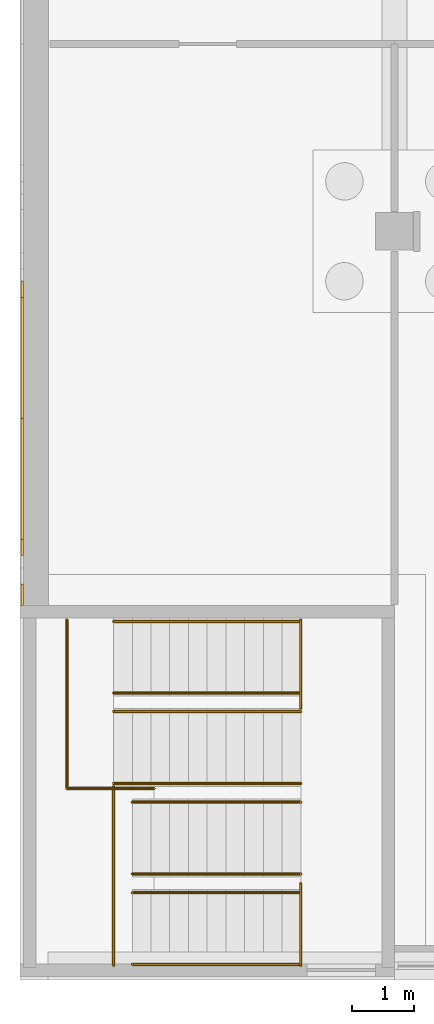
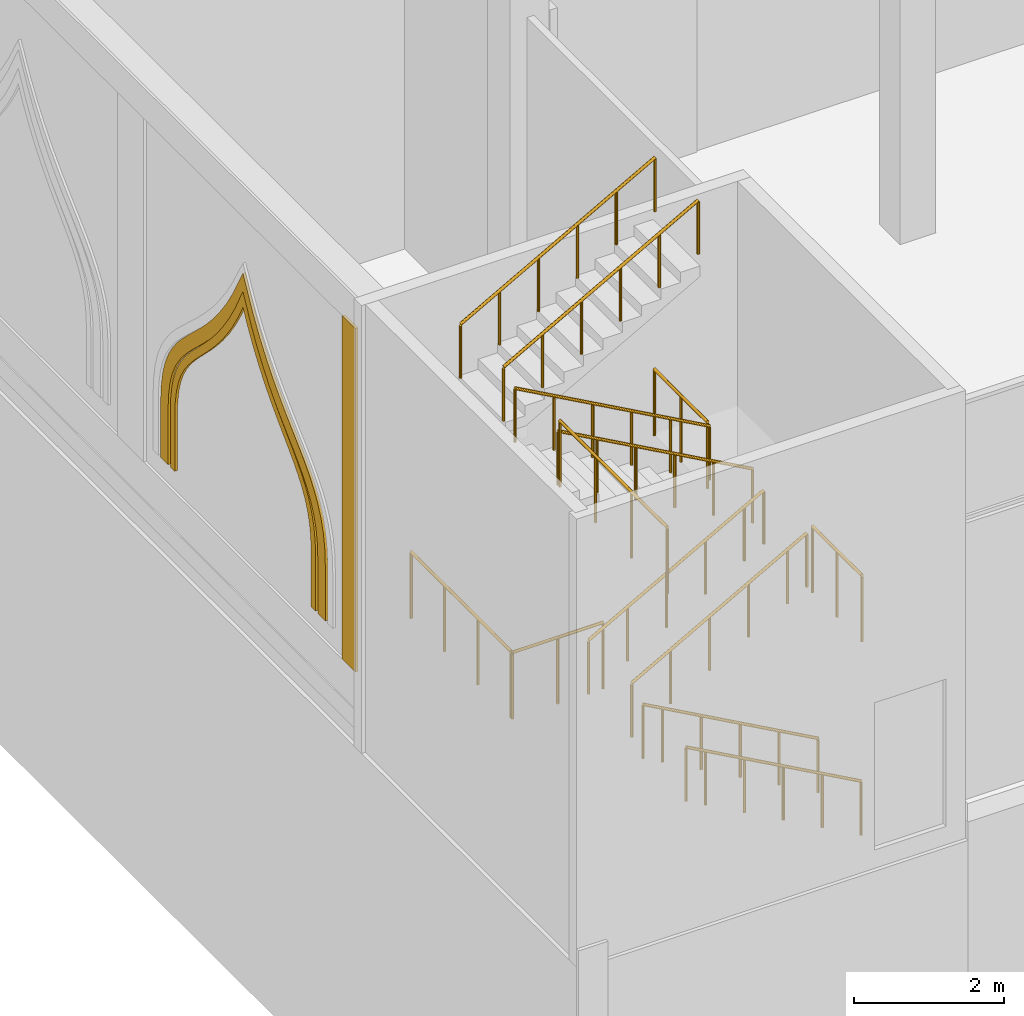
# One storey, part 60 of 95: 13 railings, 3 coverings.
"""IFC4 building model written with IfcOpenShell, lengths in metres."""

from ifc_helpers import new_model, si_unit, direction, frame, origin, origin_2d, place, context, subcontext, project, spatial, polyline, rectangle, circle, outline, extrude, material, layer, layer_set, type_object, element, save


model = new_model("IFC4")

# Units and contexts
model_context = context("Model", 3, precision=1e-05, world=origin(), true_north=direction((0.0, 1.0)))
body_context = subcontext(model_context, "Body", "Model", "MODEL_VIEW")
ifc_project = project(units=[si_unit("LENGTHUNIT", "METRE"), si_unit("AREAUNIT", "SQUARE_METRE"), si_unit("VOLUMEUNIT", "CUBIC_METRE"), si_unit("PLANEANGLEUNIT", "RADIAN"), si_unit("MASSUNIT", "GRAM", prefix="KILO")], contexts=[model_context])

# Site, building, storey
site_placement = place(None, origin())
site = spatial("IfcSite", under=ifc_project, at=site_placement, CompositionType="ELEMENT")
building_placement = place(site_placement, origin())
building = spatial("IfcBuilding", under=site, at=building_placement, Name="Saffron Lane Theatres", CompositionType="ELEMENT")
storey_placement = place(building_placement, origin())
storey = spatial("IfcBuildingStorey", under=building, at=storey_placement, Name="L00", CompositionType="ELEMENT", Elevation=0.0)

# Coverings
ifc_material_1 = material(Name="Face brick cladding, pale buff", Category="masonry")
ifc_layer_1 = layer(ifc_material_1, 0.0400390625)
ifc_layer_set_1 = layer_set([ifc_layer_1], Name="Face brick cladding, pale buff")
covering_type_1 = type_object("IfcCoveringType", Name="EX-FACE BRICK SKIN PALE BUFF 40", PredefinedType="CLADDING", material=ifc_layer_set_1)
covering_1_placement = place(storey_placement, frame((0.0400390625, 6.175048828125, 0.89990234375), z_axis=(0.0, 0.0, 1.0), x_axis=(0.0, 1.0, 0.0)))
element("IfcCovering", 1, at=covering_1_placement, inside=storey, type_object=covering_type_1, Name="Face brick cladding, pale buff L00", PredefinedType="CLADDING", context=body_context, shape_type="SweptSolid", body=[
    extrude(rectangle(XDim=0.35009765625, YDim=0.0400390625, at=origin_2d()), origin(), (0.0, 0.0, 1.0), 5.60009765625),
])
ifc_material_2 = material(Name="Face brick cladding, pale buff", Category="masonry")
ifc_layer_2 = layer(ifc_material_2, 0.0400390625)
ifc_layer_set_2 = layer_set([ifc_layer_2], Name="Face brick cladding, pale buff")
covering_type_2 = type_object("IfcCoveringType", Name="EX-NICHE FRAME RING FACE BRICK PALE BUFF", PredefinedType="CLADDING", material=ifc_layer_set_2)
covering_2_placement = place(storey_placement, frame((0.06005859375, 7.072021484375, 2.39404296875), z_axis=(1.0, 0.0, 0.0), x_axis=(0.0, -0.049137358924, -0.998792030384)))
element("IfcCovering", 2, at=covering_2_placement, inside=storey, type_object=covering_type_2, Name="Court wall niche ring", PredefinedType="CLADDING", context=body_context, shape_type="SweptSolid", body=[
    extrude(outline(polyline([(0.0, 0.0), (0.2434581525511307, -1.734723475976807e-18), (1.1432488244543841, 0.04426681016391508), (1.137358579524714, 0.16399505404047265), (0.24049405614797534, 0.11987220098278169), (0.007033577729103016, 0.1203640544290474), (-0.1962583387604046, 0.14360602715893483), (-0.37560171753947574, 0.18684775500352957), (-0.5368488556611398, 0.24980132375038339), (-0.6850005487916107, 0.3297763513581751), (-0.8268604839750515, 0.4259492464912962), (-0.9645273012021993, 0.5362612756357352), (-1.1047806946661802, 0.659401156034798), (-1.2514382207570491, 0.7934700249063853), (-1.4085252922988492, 0.9358254859112508), (-1.580103311392178, 1.0845566798417767), (-1.7729039865280876, 1.2373769410990973), (-1.989745498403424, 1.3919477011821022), (-2.2357006212375135, 1.5470416523127277), (-2.5144789435907433, 1.698565320313989), (-2.7265625262103663, 1.7961721555341075), (-2.525083783749253, 1.914124928433901), (-2.2625246286972733, 2.0922806610866234), (-2.032932630270658, 2.2697922591364956), (-1.8323582713986466, 2.445876282549646), (-1.6554888493515392, 2.61688312489328), (-1.4993382334752277, 2.7817375147209065), (-1.3569827724703623, 2.9388245862627063), (-1.2241931142790827, 3.0866413587786963), (-1.0967039175669735, 3.2229533143972655), (-0.9705296759867175, 3.346245475952912), (-0.8387947239410392, 3.4558783605179877), (-0.6992084786309031, 3.5500091702378174), (-0.5449192673100712, 3.628486113605838), (-0.37068636580195613, 3.6891226584525136), (-0.17065747705352846, 3.7322067189902914), (0.06162735166451358, 3.7556117451772284), (0.9584918750412523, 3.7997345982349193), (0.9526016301115823, 3.919462842111477), (0.052810958208328956, 3.8751960319475622), (-0.18947154464197147, 3.851299152314359), (-0.4035595096232559, 3.8058123791226977), (-0.5923670888365202, 3.738347909555811), (-0.7604994407308727, 3.653079030744135), (-0.9114543802325443, 3.551544712704208), (-1.050936330088171, 3.4354198033334438), (-1.1829667859216257, 3.3069508169289725), (-1.3132261776285068, 3.167324909967122), (-1.4459678501177116, 3.0185327546089598), (-1.5864685168423833, 2.863492420155653), (-1.7407643384385012, 2.700684767416518), (-1.913692322640197, 2.5340272413859313), (-2.108654312969553, 2.3631080463960874), (-2.332354107866413, 2.1900417360634106), (-2.5892529086736626, 2.016075448991823), (-2.984307442254198, 1.7834919337608668), (-2.5683311425690913, 1.5908085298050276), (-2.2955970600771893, 1.4428984789600046), (-2.0559900049425646, 1.292625377112813), (-1.845192732928556, 1.1416682341860458), (-1.656741374105693, 0.9927894107741371), (-1.4872100921008569, 0.8459130111238046), (-1.3321697576475495, 0.7054123443991328), (-1.1854642458546054, 0.5703680926853739), (-1.0421287503323673, 0.4442021751554778), (-0.8981258618312739, 0.32931314243814785), (-0.7479191075619507, 0.22743998658357098), (-0.5876789347088237, 0.14023772466330328), (-0.41203682043977996, 0.07285918867513211), (-0.2175189426796258, 0.024253100023604444), (0.0, 0.0)])), origin(), (0.0, 0.0, -1.0), 0.0400390625),
])
covering_3_placement = place(storey_placement, frame((0.06005859375, 6.81396484375, 2.416015625), z_axis=(1.0, 0.0, 0.0), x_axis=(0.0, -0.052850824381, -0.998602418564)))
element("IfcCovering", 3, at=covering_3_placement, inside=storey, type_object=covering_type_2, Name="Court wall niche ring", PredefinedType="CLADDING", context=body_context, shape_type="SweptSolid", body=[
    extrude(outline(polyline([(0.0, 0.0), (0.2633074467244505, 0.0), (1.1651214961065233, 0.0477283201622824), (1.1545539118370154, 0.2474000439914031), (0.2588348479198121, 0.19999429966152327), (0.011425975537206378, 0.1998577991513908), (-0.20210156873088145, 0.22474028020240072), (-0.3899079347837127, 0.27176504549653774), (-0.5587937002753489, 0.34008321126432145), (-0.7155078307266671, 0.42787069606189243), (-0.8642967823061162, 0.5322134516853781), (-1.0120772599674226, 0.6544567891326514), (-1.1623127094900663, 0.7907501716253488), (-1.3195708046608676, 0.9396294444378704), (-1.4900871060969219, 1.09880873335576), (-1.6761963837178078, 1.2662086126972976), (-1.8854937703858208, 1.437515394699492), (-2.1200444305353527, 1.6101749578767304), (-2.3866489418204653, 1.7833384184595322), (-2.689040355505825, 1.9536299354734277), (-2.8646160042079827, 2.0374853906507653), (-2.6988724668774546, 2.1394050924426464), (-2.4161452759353548, 2.3406638893671876), (-2.1693082116598714, 2.5410011380715813), (-1.9542927439206381, 2.737453894646832), (-1.76424668293041, 2.9298958451880424), (-1.596846803588872, 3.116005122808928), (-1.4440850759682549, 3.2922938338774492), (-1.303420281616241, 3.456940613377808), (-1.168410411382998, 3.608330544826945), (-1.03430714901556, 3.7445145910901334), (-0.8974147941351174, 3.86495489941103), (-0.7508424478545355, 3.968793757628952), (-0.590111399406036, 4.054556824413066), (-0.40831784686918837, 4.121142588184094), (-0.1986096004567468, 4.168424735037138), (0.04743155039647204, 4.194403973918316), (0.9431506143136754, 4.241809718248196), (0.9325830300441676, 4.441481442077317), (0.030768980662094908, 4.393753121915035), (-0.23106752026659994, 4.36595998819523), (-0.46470546058718654, 4.313499650348356), (-0.6719159513963089, 4.237500784234314), (-0.8559587063687718, 4.139502246350417), (-1.020915158668237, 4.022710780024254), (-1.1723424410032313, 3.890499509802235), (-1.3147450702081254, 3.7448303758523798), (-1.4536414698915574, 3.5883451044653136), (-1.596192144425849, 3.422376103605612), (-1.7461315032896978, 3.2481926242854025), (-1.9096577562143424, 3.0674224860210404), (-2.0932000093163197, 2.881436805876991), (-2.300531381174216, 2.6922362331211653), (-2.536527860159927, 2.499562707087641), (-2.809864359290527, 2.3056464152155973), (-3.2820006088422375, 2.015395397647838), (-2.781864777037985, 1.7766016768649355), (-2.489586625028707, 1.6126204222398495), (-2.234571074964541, 1.4459336052646754), (-2.008427080560928, 1.2796746257093192), (-1.806278653445971, 1.1141015442397035), (-1.6245849296404142, 0.9516021011226222), (-1.4570974454938663, 0.7942183711539379), (-1.297824439807826, 0.6442233255148111), (-1.1431863395031492, 0.5032733062162519), (-0.9862032826736595, 0.3734490971540108), (-0.8216665185098254, 0.25796015808373945), (-0.6453037847766058, 0.15923293837212055), (-0.45194503976435696, 0.08120829603058993), (-0.23787013524170816, 0.02750587145221218), (0.0, 0.0)])), origin(), (0.0, 0.0, -1.0), 0.0400390625),
])

# Railings
ifc_material_3 = material(Name="Steel Grade 350", Category="steel")
railing_type_1 = type_object("IfcRailingType", Name="VC-GUARD 1100", PredefinedType="GUARDRAIL", material=ifc_material_3)
railing_1_placement = place(storey_placement, frame((0.75, 3.10009765625, 1.666748046875)))
element("IfcRailing", 4, at=railing_1_placement, inside=storey, type_object=railing_type_1, Name="Workshop South West Stair landing guard 1N1s", PredefinedType="GUARDRAIL", context=body_context, shape_type="SweptSolid", body=[
    extrude(circle(Radius=0.02392578125, at=origin_2d()), frame((0.0, 0.0, 1.076171875), z_axis=(0.0, 1.0, 0.0), x_axis=(-1.0, 0.0, 0.0)), (0.0, 0.0, 1.0), 2.669921875),
    extrude(circle(Radius=0.02099609375, at=origin_2d()), origin(), (0.0, 0.0, 1.0), 1.052001953125),
    extrude(circle(Radius=0.02099609375, at=origin_2d()), frame((0.0, 0.889892578125, 0.0)), (0.0, 0.0, 1.0), 1.052001953125),
    extrude(circle(Radius=0.02099609375, at=origin_2d()), frame((0.0, 1.780029296875, 0.0)), (0.0, 0.0, 1.0), 1.052001953125),
    extrude(circle(Radius=0.02099609375, at=origin_2d()), frame((0.0, 2.669921875, 0.0)), (0.0, 0.0, 1.0), 1.052001953125),
])
railing_2_placement = place(storey_placement, frame((2.14990234375, 3.070068359375, 1.666748046875)))
element("IfcRailing", 5, at=railing_2_placement, inside=storey, type_object=railing_type_1, Name="Workshop South West Stair landing guard 1N1e", PredefinedType="GUARDRAIL", context=body_context, shape_type="SweptSolid", body=[
    extrude(circle(Radius=0.02392578125, at=origin_2d()), frame((0.0, 0.0, 1.076171875), z_axis=(-1.0, 0.0, 0.0), x_axis=(0.0, -1.0, 0.0)), (0.0, 0.0, 1.0), 1.39990234375),
    extrude(circle(Radius=0.02099609375, at=origin_2d()), origin(), (0.0, 0.0, 1.0), 1.052001953125),
    extrude(circle(Radius=0.02099609375, at=origin_2d()), frame((-0.699951171875, 0.0, 0.0)), (0.0, 0.0, 1.0), 1.052001953125),
    extrude(circle(Radius=0.02099609375, at=origin_2d()), frame((-1.39990234375, 0.0, 0.0)), (0.0, 0.0, 1.0), 1.052001953125),
])
railing_3_placement = place(storey_placement, frame((1.5, 0.22998046875, 5.166748046875)))
element("IfcRailing", 6, at=railing_3_placement, inside=storey, type_object=railing_type_1, Name="Workshop South West Stair landing guard 1N2s", PredefinedType="GUARDRAIL", context=body_context, shape_type="SweptSolid", body=[
    extrude(circle(Radius=0.02392578125, at=origin_2d()), frame((0.0, 0.0, 1.076171875), z_axis=(0.0, 1.0, 0.0), x_axis=(-1.0, 0.0, 0.0)), (0.0, 0.0, 1.0), 2.8701171875),
    extrude(circle(Radius=0.02099609375, at=origin_2d()), origin(), (0.0, 0.0, 1.0), 1.052001953125),
    extrude(circle(Radius=0.02099609375, at=origin_2d()), frame((0.0, 0.956787109375, 0.0)), (0.0, 0.0, 1.0), 1.052001953125),
    extrude(circle(Radius=0.02099609375, at=origin_2d()), frame((0.0, 1.913330078125, 0.0)), (0.0, 0.0, 1.0), 1.052001953125),
    extrude(circle(Radius=0.02099609375, at=origin_2d()), frame((0.0, 2.8701171875, 0.0)), (0.0, 0.0, 1.0), 1.052001953125),
])
railing_4_placement = place(storey_placement, frame((4.5, 0.22998046875, 3.333251953125)))
element("IfcRailing", 7, at=railing_4_placement, inside=storey, type_object=railing_type_1, Name="Workshop South West Stair landing guard 1S2w", PredefinedType="GUARDRAIL", context=body_context, shape_type="SweptSolid", body=[
    extrude(circle(Radius=0.02392578125, at=origin_2d()), frame((0.0, 0.0, 1.076171875), z_axis=(0.0, 1.0, 0.0), x_axis=(-1.0, 0.0, 0.0)), (0.0, 0.0, 1.0), 1.320068359375),
    extrude(circle(Radius=0.02099609375, at=origin_2d()), origin(), (0.0, 0.0, 1.0), 1.052001953125),
    extrude(circle(Radius=0.02099609375, at=origin_2d()), frame((0.0, 0.66015625, 0.0)), (0.0, 0.0, 1.0), 1.052001953125),
    extrude(circle(Radius=0.02099609375, at=origin_2d()), frame((0.0, 1.320068359375, 0.0)), (0.0, 0.0, 1.0), 1.052001953125),
])
railing_5_placement = place(storey_placement, frame((4.5, 4.35009765625, 3.333251953125)))
element("IfcRailing", 8, at=railing_5_placement, inside=storey, type_object=railing_type_1, Name="Workshop South West Stair landing guard 1S2e", PredefinedType="GUARDRAIL", context=body_context, shape_type="SweptSolid", body=[
    extrude(circle(Radius=0.02392578125, at=origin_2d()), frame((0.0, 0.0, 1.076171875), z_axis=(0.0, 1.0, 0.0), x_axis=(-1.0, 0.0, 0.0)), (0.0, 0.0, 1.0), 1.419921875),
    extrude(circle(Radius=0.02099609375, at=origin_2d()), origin(), (0.0, 0.0, 1.0), 1.052001953125),
    extrude(circle(Radius=0.02099609375, at=origin_2d()), frame((0.0, 0.7099609375, 0.0)), (0.0, 0.0, 1.0), 1.052001953125),
    extrude(circle(Radius=0.02099609375, at=origin_2d()), frame((0.0, 1.419921875, 0.0)), (0.0, 0.0, 1.0), 1.052001953125),
])
ifc_material_4 = material(Name="Steel Grade 350", Category="steel")
railing_type_2 = type_object("IfcRailingType", Name="VC-HANDRAIL 900", PredefinedType="HANDRAIL", material=ifc_material_4)
railing_6_placement = place(storey_placement, frame((4.5, 0.25, 0.166748046875)))
element("IfcRailing", 9, at=railing_6_placement, inside=storey, type_object=railing_type_2, Name="Workshop South West Stair handrail 1.1a", PredefinedType="HANDRAIL", context=body_context, shape_type="SweptSolid", body=[
    extrude(circle(Radius=0.02392578125, at=origin_2d()), frame((0.0, 0.0, 0.8759765625), z_axis=(-0.874241147926, 0.0, 0.485491931212), x_axis=(0.0, -1.0, 0.0)), (0.0, 0.0, 1.0), 0.6865234375),
    extrude(circle(Radius=0.02392578125, at=origin_2d()), frame((-0.60009765625, 0.0, 1.208984375), z_axis=(-0.874157276122, 0.0, 0.485642931179), x_axis=(0.0, -1.0, 0.0)), (0.0, 0.0, 1.0), 0.686279296875),
    extrude(circle(Radius=0.02392578125, at=origin_2d()), frame((-1.199951171875, 0.0, 1.54248046875), z_axis=(-0.874090171491, 0.0, 0.485763699861), x_axis=(0.0, -1.0, 0.0)), (0.0, 0.0, 1.0), 0.6865234375),
    extrude(circle(Radius=0.02392578125, at=origin_2d()), frame((-1.800048828125, 0.0, 1.8759765625), z_axis=(-0.874157276122, 0.0, 0.485642931179), x_axis=(0.0, -1.0, 0.0)), (0.0, 0.0, 1.0), 0.686279296875),
    extrude(circle(Radius=0.02392578125, at=origin_2d()), frame((-2.39990234375, 0.0, 2.208984375), z_axis=(-0.874090171491, 0.0, 0.485763699861), x_axis=(0.0, -1.0, 0.0)), (0.0, 0.0, 1.0), 0.34326171875),
    extrude(circle(Radius=0.02099609375, at=origin_2d()), origin(), (0.0, 0.0, 1.0), 0.851806640625),
    extrude(circle(Radius=0.02099609375, at=origin_2d()), frame((-0.60009765625, 0.0, 0.333251953125)), (0.0, 0.0, 1.0), 0.851806640625),
    extrude(circle(Radius=0.02099609375, at=origin_2d()), frame((-1.199951171875, 0.0, 0.66650390625)), (0.0, 0.0, 1.0), 0.851806640625),
    extrude(circle(Radius=0.02099609375, at=origin_2d()), frame((-1.800048828125, 0.0, 1.0)), (0.0, 0.0, 1.0), 0.851806640625),
    extrude(circle(Radius=0.02099609375, at=origin_2d()), frame((-2.39990234375, 0.0, 1.333251953125)), (0.0, 0.0, 1.0), 0.851806640625),
    extrude(circle(Radius=0.02099609375, at=origin_2d()), frame((-2.699951171875, 0.0, 1.5)), (0.0, 0.0, 1.0), 0.851806640625),
])
railing_7_placement = place(storey_placement, frame((4.5, 1.39990234375, 0.166748046875)))
element("IfcRailing", 10, at=railing_7_placement, inside=storey, type_object=railing_type_2, Name="Workshop South West Stair handrail 1.1b", PredefinedType="HANDRAIL", context=body_context, shape_type="SweptSolid", body=[
    extrude(circle(Radius=0.02392578125, at=origin_2d()), frame((0.0, 0.0, 0.8759765625), z_axis=(-0.874241147926, 0.0, 0.485491931212), x_axis=(0.0, -1.0, 0.0)), (0.0, 0.0, 1.0), 0.6865234375),
    extrude(circle(Radius=0.02392578125, at=origin_2d()), frame((-0.60009765625, 0.0, 1.208984375), z_axis=(-0.874157276122, 0.0, 0.485642931179), x_axis=(0.0, -1.0, 0.0)), (0.0, 0.0, 1.0), 0.686279296875),
    extrude(circle(Radius=0.02392578125, at=origin_2d()), frame((-1.199951171875, 0.0, 1.54248046875), z_axis=(-0.874090171491, 0.0, 0.485763699861), x_axis=(0.0, -1.0, 0.0)), (0.0, 0.0, 1.0), 0.6865234375),
    extrude(circle(Radius=0.02392578125, at=origin_2d()), frame((-1.800048828125, 0.0, 1.8759765625), z_axis=(-0.874157276122, 0.0, 0.485642931179), x_axis=(0.0, -1.0, 0.0)), (0.0, 0.0, 1.0), 0.686279296875),
    extrude(circle(Radius=0.02392578125, at=origin_2d()), frame((-2.39990234375, 0.0, 2.208984375), z_axis=(-0.874090171491, 0.0, 0.485763699861), x_axis=(0.0, -1.0, 0.0)), (0.0, 0.0, 1.0), 0.34326171875),
    extrude(circle(Radius=0.02099609375, at=origin_2d()), origin(), (0.0, 0.0, 1.0), 0.851806640625),
    extrude(circle(Radius=0.02099609375, at=origin_2d()), frame((-0.60009765625, 0.0, 0.333251953125)), (0.0, 0.0, 1.0), 0.851806640625),
    extrude(circle(Radius=0.02099609375, at=origin_2d()), frame((-1.199951171875, 0.0, 0.66650390625)), (0.0, 0.0, 1.0), 0.851806640625),
    extrude(circle(Radius=0.02099609375, at=origin_2d()), frame((-1.800048828125, 0.0, 1.0)), (0.0, 0.0, 1.0), 0.851806640625),
    extrude(circle(Radius=0.02099609375, at=origin_2d()), frame((-2.39990234375, 0.0, 1.333251953125)), (0.0, 0.0, 1.0), 0.851806640625),
    extrude(circle(Radius=0.02099609375, at=origin_2d()), frame((-2.699951171875, 0.0, 1.5)), (0.0, 0.0, 1.0), 0.851806640625),
])
railing_8_placement = place(storey_placement, frame((1.800048828125, 1.699951171875, 1.833251953125)))
element("IfcRailing", 11, at=railing_8_placement, inside=storey, type_object=railing_type_2, Name="Workshop South West Stair handrail 1.2a", PredefinedType="HANDRAIL", context=body_context, shape_type="SweptSolid", body=[
    extrude(circle(Radius=0.02392578125, at=origin_2d()), frame((0.0, 0.0, 0.8759765625), z_axis=(0.874006220275, 0.0, 0.485914732151), x_axis=(0.0, 1.0, 0.0)), (0.0, 0.0, 1.0), 0.686279296875),
    extrude(circle(Radius=0.02392578125, at=origin_2d()), frame((0.599853515625, 0.0, 1.20947265625), z_axis=(0.874241147926, 0.0, 0.485491931212), x_axis=(0.0, 1.0, 0.0)), (0.0, 0.0, 1.0), 0.6865234375),
    extrude(circle(Radius=0.02392578125, at=origin_2d()), frame((1.199951171875, 0.0, 1.54248046875), z_axis=(0.874241147926, 0.0, 0.485491931212), x_axis=(0.0, 1.0, 0.0)), (0.0, 0.0, 1.0), 0.6865234375),
    extrude(circle(Radius=0.02392578125, at=origin_2d()), frame((1.800048828125, 0.0, 1.8759765625), z_axis=(0.874006220275, 0.0, 0.485914732151), x_axis=(0.0, 1.0, 0.0)), (0.0, 0.0, 1.0), 0.686279296875),
    extrude(circle(Radius=0.02392578125, at=origin_2d()), frame((2.39990234375, 0.0, 2.20947265625), z_axis=(0.87439209197, 0.0, 0.485220021744), x_axis=(0.0, 1.0, 0.0)), (0.0, 0.0, 1.0), 0.34326171875),
    extrude(circle(Radius=0.02099609375, at=origin_2d()), origin(), (0.0, 0.0, 1.0), 0.851806640625),
    extrude(circle(Radius=0.02099609375, at=origin_2d()), frame((0.599853515625, 0.0, 0.33349609375)), (0.0, 0.0, 1.0), 0.851806640625),
    extrude(circle(Radius=0.02099609375, at=origin_2d()), frame((1.199951171875, 0.0, 0.666748046875)), (0.0, 0.0, 1.0), 0.851806640625),
    extrude(circle(Radius=0.02099609375, at=origin_2d()), frame((1.800048828125, 0.0, 1.0)), (0.0, 0.0, 1.0), 0.851806640625),
    extrude(circle(Radius=0.02099609375, at=origin_2d()), frame((2.39990234375, 0.0, 1.33349609375)), (0.0, 0.0, 1.0), 0.851806640625),
    extrude(circle(Radius=0.02099609375, at=origin_2d()), frame((2.699951171875, 0.0, 1.5)), (0.0, 0.0, 1.0), 0.851806640625),
])
railing_9_placement = place(storey_placement, frame((1.800048828125, 2.85009765625, 1.833251953125)))
element("IfcRailing", 12, at=railing_9_placement, inside=storey, type_object=railing_type_2, Name="Workshop South West Stair handrail 1.2b", PredefinedType="HANDRAIL", context=body_context, shape_type="SweptSolid", body=[
    extrude(circle(Radius=0.02392578125, at=origin_2d()), frame((0.0, 0.0, 0.8759765625), z_axis=(0.874006220275, 0.0, 0.485914732151), x_axis=(0.0, 1.0, 0.0)), (0.0, 0.0, 1.0), 0.686279296875),
    extrude(circle(Radius=0.02392578125, at=origin_2d()), frame((0.599853515625, 0.0, 1.20947265625), z_axis=(0.874241147926, 0.0, 0.485491931212), x_axis=(0.0, 1.0, 0.0)), (0.0, 0.0, 1.0), 0.6865234375),
    extrude(circle(Radius=0.02392578125, at=origin_2d()), frame((1.199951171875, 0.0, 1.54248046875), z_axis=(0.874241147926, 0.0, 0.485491931212), x_axis=(0.0, 1.0, 0.0)), (0.0, 0.0, 1.0), 0.6865234375),
    extrude(circle(Radius=0.02392578125, at=origin_2d()), frame((1.800048828125, 0.0, 1.8759765625), z_axis=(0.874006220275, 0.0, 0.485914732151), x_axis=(0.0, 1.0, 0.0)), (0.0, 0.0, 1.0), 0.686279296875),
    extrude(circle(Radius=0.02392578125, at=origin_2d()), frame((2.39990234375, 0.0, 2.20947265625), z_axis=(0.87439209197, 0.0, 0.485220021744), x_axis=(0.0, 1.0, 0.0)), (0.0, 0.0, 1.0), 0.34326171875),
    extrude(circle(Radius=0.02099609375, at=origin_2d()), origin(), (0.0, 0.0, 1.0), 0.851806640625),
    extrude(circle(Radius=0.02099609375, at=origin_2d()), frame((0.599853515625, 0.0, 0.33349609375)), (0.0, 0.0, 1.0), 0.851806640625),
    extrude(circle(Radius=0.02099609375, at=origin_2d()), frame((1.199951171875, 0.0, 0.666748046875)), (0.0, 0.0, 1.0), 0.851806640625),
    extrude(circle(Radius=0.02099609375, at=origin_2d()), frame((1.800048828125, 0.0, 1.0)), (0.0, 0.0, 1.0), 0.851806640625),
    extrude(circle(Radius=0.02099609375, at=origin_2d()), frame((2.39990234375, 0.0, 1.33349609375)), (0.0, 0.0, 1.0), 0.851806640625),
    extrude(circle(Radius=0.02099609375, at=origin_2d()), frame((2.699951171875, 0.0, 1.5)), (0.0, 0.0, 1.0), 0.851806640625),
])
railing_10_placement = place(storey_placement, frame((4.5, 3.14990234375, 3.5)))
element("IfcRailing", 13, at=railing_10_placement, inside=storey, type_object=railing_type_2, Name="Workshop South West Stair handrail 1.3a", PredefinedType="HANDRAIL", context=body_context, shape_type="SweptSolid", body=[
    extrude(circle(Radius=0.02392578125, at=origin_2d()), frame((0.0, 0.0, 0.8759765625), z_axis=(-0.874241147926, 0.0, 0.485491931212), x_axis=(0.0, -1.0, 0.0)), (0.0, 0.0, 1.0), 0.6865234375),
    extrude(circle(Radius=0.02392578125, at=origin_2d()), frame((-0.60009765625, 0.0, 1.208984375), z_axis=(-0.874006220275, 0.0, 0.485914732151), x_axis=(0.0, -1.0, 0.0)), (0.0, 0.0, 1.0), 0.686279296875),
    extrude(circle(Radius=0.02392578125, at=origin_2d()), frame((-1.199951171875, 0.0, 1.54248046875), z_axis=(-0.874241147926, 0.0, 0.485491931212), x_axis=(0.0, -1.0, 0.0)), (0.0, 0.0, 1.0), 0.6865234375),
    extrude(circle(Radius=0.02392578125, at=origin_2d()), frame((-1.800048828125, 0.0, 1.8759765625), z_axis=(-0.874157276122, 0.0, 0.485642931179), x_axis=(0.0, -1.0, 0.0)), (0.0, 0.0, 1.0), 0.686279296875),
    extrude(circle(Radius=0.02392578125, at=origin_2d()), frame((-2.39990234375, 0.0, 2.208984375), z_axis=(-0.874090171491, 0.0, 0.485763699861), x_axis=(0.0, -1.0, 0.0)), (0.0, 0.0, 1.0), 0.6865234375),
    extrude(circle(Radius=0.02099609375, at=origin_2d()), origin(), (0.0, 0.0, 1.0), 0.851806640625),
    extrude(circle(Radius=0.02099609375, at=origin_2d()), frame((-0.60009765625, 0.0, 0.333251953125)), (0.0, 0.0, 1.0), 0.851806640625),
    extrude(circle(Radius=0.02099609375, at=origin_2d()), frame((-1.199951171875, 0.0, 0.666748046875)), (0.0, 0.0, 1.0), 0.851806640625),
    extrude(circle(Radius=0.02099609375, at=origin_2d()), frame((-1.800048828125, 0.0, 1.0)), (0.0, 0.0, 1.0), 0.851806640625),
    extrude(circle(Radius=0.02099609375, at=origin_2d()), frame((-2.39990234375, 0.0, 1.333251953125)), (0.0, 0.0, 1.0), 0.851806640625),
    extrude(circle(Radius=0.02099609375, at=origin_2d()), frame((-3.0, 0.0, 1.666748046875)), (0.0, 0.0, 1.0), 0.851806640625),
])
railing_11_placement = place(storey_placement, frame((4.5, 4.300048828125, 3.5)))
element("IfcRailing", 14, at=railing_11_placement, inside=storey, type_object=railing_type_2, Name="Workshop South West Stair handrail 1.3b", PredefinedType="HANDRAIL", context=body_context, shape_type="SweptSolid", body=[
    extrude(circle(Radius=0.02392578125, at=origin_2d()), frame((0.0, 0.0, 0.8759765625), z_axis=(-0.874241147926, 0.0, 0.485491931212), x_axis=(0.0, -1.0, 0.0)), (0.0, 0.0, 1.0), 0.6865234375),
    extrude(circle(Radius=0.02392578125, at=origin_2d()), frame((-0.60009765625, 0.0, 1.208984375), z_axis=(-0.874006220275, 0.0, 0.485914732151), x_axis=(0.0, -1.0, 0.0)), (0.0, 0.0, 1.0), 0.686279296875),
    extrude(circle(Radius=0.02392578125, at=origin_2d()), frame((-1.199951171875, 0.0, 1.54248046875), z_axis=(-0.874241147926, 0.0, 0.485491931212), x_axis=(0.0, -1.0, 0.0)), (0.0, 0.0, 1.0), 0.6865234375),
    extrude(circle(Radius=0.02392578125, at=origin_2d()), frame((-1.800048828125, 0.0, 1.8759765625), z_axis=(-0.874157276122, 0.0, 0.485642931179), x_axis=(0.0, -1.0, 0.0)), (0.0, 0.0, 1.0), 0.686279296875),
    extrude(circle(Radius=0.02392578125, at=origin_2d()), frame((-2.39990234375, 0.0, 2.208984375), z_axis=(-0.874090171491, 0.0, 0.485763699861), x_axis=(0.0, -1.0, 0.0)), (0.0, 0.0, 1.0), 0.6865234375),
    extrude(circle(Radius=0.02099609375, at=origin_2d()), origin(), (0.0, 0.0, 1.0), 0.851806640625),
    extrude(circle(Radius=0.02099609375, at=origin_2d()), frame((-0.60009765625, 0.0, 0.333251953125)), (0.0, 0.0, 1.0), 0.851806640625),
    extrude(circle(Radius=0.02099609375, at=origin_2d()), frame((-1.199951171875, 0.0, 0.666748046875)), (0.0, 0.0, 1.0), 0.851806640625),
    extrude(circle(Radius=0.02099609375, at=origin_2d()), frame((-1.800048828125, 0.0, 1.0)), (0.0, 0.0, 1.0), 0.851806640625),
    extrude(circle(Radius=0.02099609375, at=origin_2d()), frame((-2.39990234375, 0.0, 1.333251953125)), (0.0, 0.0, 1.0), 0.851806640625),
    extrude(circle(Radius=0.02099609375, at=origin_2d()), frame((-3.0, 0.0, 1.666748046875)), (0.0, 0.0, 1.0), 0.851806640625),
])
railing_12_placement = place(storey_placement, frame((1.5, 4.60009765625, 5.333251953125)))
element("IfcRailing", 15, at=railing_12_placement, inside=storey, type_object=railing_type_2, Name="Workshop South West Stair handrail 1.4a", PredefinedType="HANDRAIL", context=body_context, shape_type="SweptSolid", body=[
    extrude(circle(Radius=0.02392578125, at=origin_2d()), frame((0.0, 0.0, 0.8759765625), z_axis=(0.874090171491, 0.0, 0.485763699861), x_axis=(0.0, 1.0, 0.0)), (0.0, 0.0, 1.0), 0.6865234375),
    extrude(circle(Radius=0.02392578125, at=origin_2d()), frame((0.60009765625, 0.0, 1.20947265625), z_axis=(0.874157276122, 0.0, 0.485642931179), x_axis=(0.0, 1.0, 0.0)), (0.0, 0.0, 1.0), 0.686279296875),
    extrude(circle(Radius=0.02392578125, at=origin_2d()), frame((1.199951171875, 0.0, 1.54248046875), z_axis=(0.874241147926, 0.0, 0.485491931212), x_axis=(0.0, 1.0, 0.0)), (0.0, 0.0, 1.0), 0.6865234375),
    extrude(circle(Radius=0.02392578125, at=origin_2d()), frame((1.800048828125, 0.0, 1.8759765625), z_axis=(0.874006220275, 0.0, 0.485914732151), x_axis=(0.0, 1.0, 0.0)), (0.0, 0.0, 1.0), 0.686279296875),
    extrude(circle(Radius=0.02392578125, at=origin_2d()), frame((2.39990234375, 0.0, 2.20947265625), z_axis=(0.874241147926, 0.0, 0.485491931212), x_axis=(0.0, 1.0, 0.0)), (0.0, 0.0, 1.0), 0.6865234375),
    extrude(circle(Radius=0.02099609375, at=origin_2d()), origin(), (0.0, 0.0, 1.0), 0.851806640625),
    extrude(circle(Radius=0.02099609375, at=origin_2d()), frame((0.60009765625, 0.0, 0.33349609375)), (0.0, 0.0, 1.0), 0.851806640625),
    extrude(circle(Radius=0.02099609375, at=origin_2d()), frame((1.199951171875, 0.0, 0.666748046875)), (0.0, 0.0, 1.0), 0.851806640625),
    extrude(circle(Radius=0.02099609375, at=origin_2d()), frame((1.800048828125, 0.0, 1.0)), (0.0, 0.0, 1.0), 0.851806640625),
    extrude(circle(Radius=0.02099609375, at=origin_2d()), frame((2.39990234375, 0.0, 1.33349609375)), (0.0, 0.0, 1.0), 0.851806640625),
    extrude(circle(Radius=0.02099609375, at=origin_2d()), frame((3.0, 0.0, 1.666748046875)), (0.0, 0.0, 1.0), 0.851806640625),
])
railing_13_placement = place(storey_placement, frame((1.5, 5.75, 5.333251953125)))
element("IfcRailing", 16, at=railing_13_placement, inside=storey, type_object=railing_type_2, Name="Workshop South West Stair handrail 1.4b", PredefinedType="HANDRAIL", context=body_context, shape_type="SweptSolid", body=[
    extrude(circle(Radius=0.02392578125, at=origin_2d()), frame((0.0, 0.0, 0.8759765625), z_axis=(0.874090171491, 0.0, 0.485763699861), x_axis=(0.0, 1.0, 0.0)), (0.0, 0.0, 1.0), 0.6865234375),
    extrude(circle(Radius=0.02392578125, at=origin_2d()), frame((0.60009765625, 0.0, 1.20947265625), z_axis=(0.874157276122, 0.0, 0.485642931179), x_axis=(0.0, 1.0, 0.0)), (0.0, 0.0, 1.0), 0.686279296875),
    extrude(circle(Radius=0.02392578125, at=origin_2d()), frame((1.199951171875, 0.0, 1.54248046875), z_axis=(0.874241147926, 0.0, 0.485491931212), x_axis=(0.0, 1.0, 0.0)), (0.0, 0.0, 1.0), 0.6865234375),
    extrude(circle(Radius=0.02392578125, at=origin_2d()), frame((1.800048828125, 0.0, 1.8759765625), z_axis=(0.874006220275, 0.0, 0.485914732151), x_axis=(0.0, 1.0, 0.0)), (0.0, 0.0, 1.0), 0.686279296875),
    extrude(circle(Radius=0.02392578125, at=origin_2d()), frame((2.39990234375, 0.0, 2.20947265625), z_axis=(0.874241147926, 0.0, 0.485491931212), x_axis=(0.0, 1.0, 0.0)), (0.0, 0.0, 1.0), 0.6865234375),
    extrude(circle(Radius=0.02099609375, at=origin_2d()), origin(), (0.0, 0.0, 1.0), 0.851806640625),
    extrude(circle(Radius=0.02099609375, at=origin_2d()), frame((0.60009765625, 0.0, 0.33349609375)), (0.0, 0.0, 1.0), 0.851806640625),
    extrude(circle(Radius=0.02099609375, at=origin_2d()), frame((1.199951171875, 0.0, 0.666748046875)), (0.0, 0.0, 1.0), 0.851806640625),
    extrude(circle(Radius=0.02099609375, at=origin_2d()), frame((1.800048828125, 0.0, 1.0)), (0.0, 0.0, 1.0), 0.851806640625),
    extrude(circle(Radius=0.02099609375, at=origin_2d()), frame((2.39990234375, 0.0, 1.33349609375)), (0.0, 0.0, 1.0), 0.851806640625),
    extrude(circle(Radius=0.02099609375, at=origin_2d()), frame((3.0, 0.0, 1.666748046875)), (0.0, 0.0, 1.0), 0.851806640625),
])

save(model, "model.ifc")
